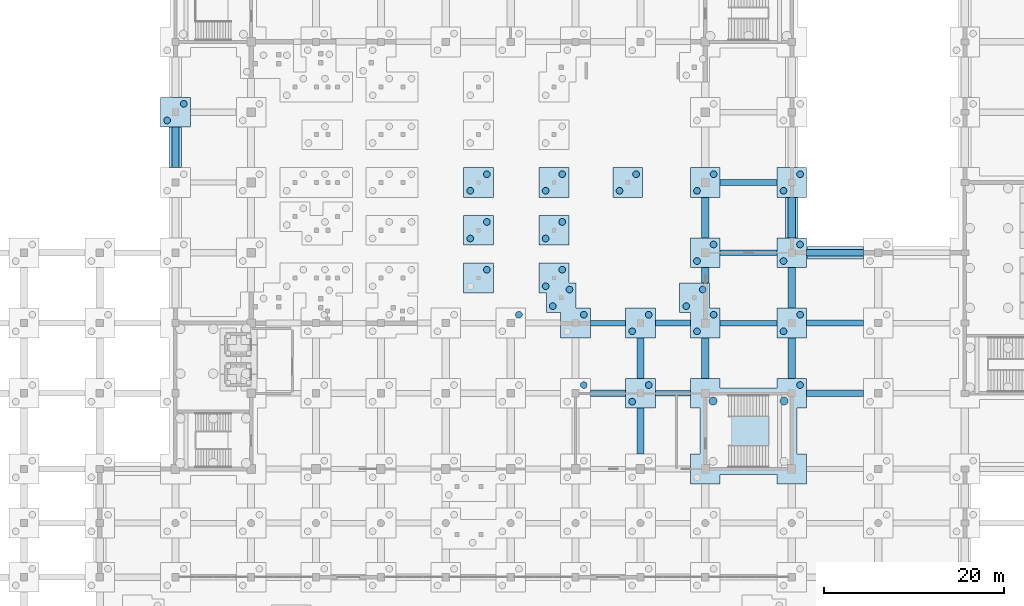
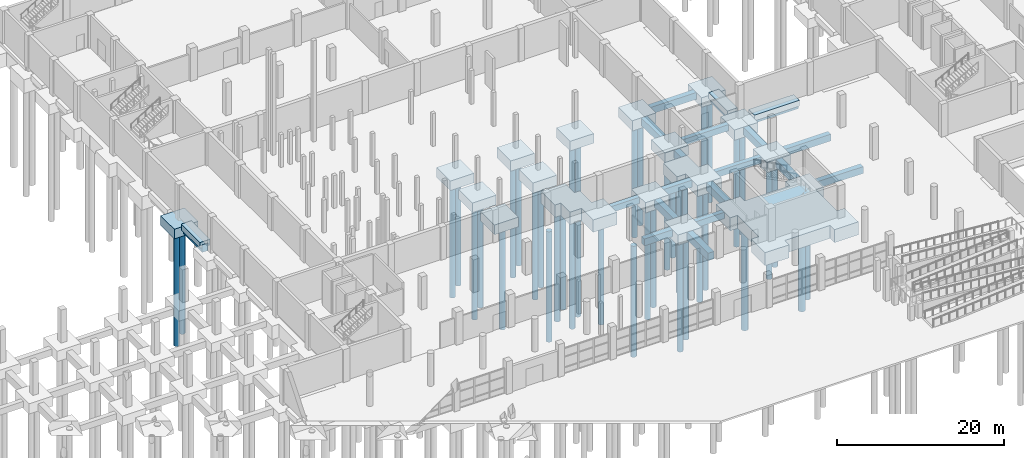
# One storey, part 7 of 42: 41 piles, 39 footings.
"""IFC4 building model written with IfcOpenShell, lengths in metres."""

from ifc_helpers import new_model, si_unit, direction, frame, origin, origin_2d, place, context, subcontext, project, spatial, polyline, rectangle, circle, outline, extrude, material, layer, layer_set, material_profile, profile_set, type_object, element, save


model = new_model("IFC4")

# Units and contexts
model_context = context("Model", 3, precision=1e-05, world=origin(), true_north=direction((0.0, 1.0)))
body_context = subcontext(model_context, "Body", "Model", "MODEL_VIEW")
ifc_project = project(units=[si_unit("LENGTHUNIT", "METRE"), si_unit("AREAUNIT", "SQUARE_METRE"), si_unit("VOLUMEUNIT", "CUBIC_METRE"), si_unit("PLANEANGLEUNIT", "RADIAN"), si_unit("MASSUNIT", "GRAM", prefix="KILO")], contexts=[model_context])

# Site, building, storey
site_placement = place(None, origin())
site = spatial("IfcSite", under=ifc_project, at=site_placement, CompositionType="ELEMENT")
building_placement = place(site_placement, origin())
building = spatial("IfcBuilding", under=site, at=building_placement, Name="Pellamere Symphony Hall", CompositionType="ELEMENT")
storey_placement = place(building_placement, frame((0.0, 0.0, -4.800048828125)))
storey = spatial("IfcBuildingStorey", under=building, at=storey_placement, Name="B1", CompositionType="ELEMENT", Elevation=-4.800048828125)

# Piles
ifc_material_1 = material(Name="Concrete 35 MPa", Category="concrete")
ifc_material_profile_1 = material_profile(ifc_material_1, circle(Radius=0.375, at=origin_2d()), Name="PILE D750")
ifc_profile_set_1 = profile_set([ifc_material_profile_1], Name="Concrete 35 MPa")
pile_type_1 = type_object("IfcPileType", Name="Bored Pile 750mm Concrete 35 MPa", PredefinedType="BORED", material=ifc_profile_set_1)
pile_1_placement = place(storey_placement, frame((119.719970703125, 39.320068359375, -2.25), z_axis=(0.0, 0.0, -1.0), x_axis=(1.0, 0.0, 0.0)))
element("IfcPile", 1, at=pile_1_placement, inside=storey, type_object=pile_type_1, Name="Bored Pile BP-750-P193", PredefinedType="BORED", context=body_context, shape_type="SweptSolid", body=[
    extrude(circle(Radius=0.375, at=origin_2d()), origin(), (0.0, 0.0, 1.0), 15.75),
])
pile_2_placement = place(storey_placement, frame((95.719970703125, 39.320068359375, -1.75), z_axis=(0.0, 0.0, -1.0), x_axis=(1.0, 0.0, 0.0)))
element("IfcPile", 2, at=pile_2_placement, inside=storey, type_object=pile_type_1, Name="Bored Pile BP-750-P244", PredefinedType="BORED", context=body_context, shape_type="SweptSolid", body=[
    extrude(circle(Radius=0.375, at=origin_2d()), origin(), (0.0, 0.0, 1.0), 16.25),
])
for number, where, z_axis, x_axis, name in (
    (3, (101.080078125, 37.47998046875, -1.849853515625), (0.0, 0.0, -1.0), (1.0, 0.0, 0.0), "Bored Pile BP-750-P245"),
    (4, (102.919921875, 39.320068359375, -1.849853515625), (0.0, 0.0, -1.0), (1.0, 0.0, 0.0), "Bored Pile BP-750-P246"),
    (5, (88.52001953125, 47.1201171875, -1.849853515625), (0.0, 0.0, -1.0), (1.0, 0.0, 0.0), "Bored Pile BP-750-P298"),
):
    element("IfcPile", number, at=place(storey_placement, frame(where, z_axis=z_axis, x_axis=x_axis)), inside=storey, type_object=pile_type_1, Name=name, PredefinedType="BORED", context=body_context, shape_type="SweptSolid", body=[
        extrude(circle(Radius=0.375, at=origin_2d()), origin(), (0.0, 0.0, 1.0), 16.14990234375),
    ])
for number, where, z_axis, x_axis, name in (
    (6, (95.719970703125, 47.1201171875, -2.14990234375), (0.0, 0.0, -1.0), (1.0, 0.0, 0.0), "Bored Pile BP-750-P300"),
    (7, (91.47998046875, 50.280029296875, -2.14990234375), (0.0, 0.0, -1.0), (1.0, 0.0, 0.0), "Bored Pile BP-750-P301"),
    (8, (93.320068359375, 52.1201171875, -2.14990234375), (0.0, 0.0, -1.0), (1.0, 0.0, 0.0), "Bored Pile BP-750-P302"),
    (9, (92.280029296875, 48.080078125, -2.14990234375), (0.0, 0.0, -1.0), (1.0, 0.0, 0.0), "Bored Pile BP-750-P303"),
    (10, (94.1201171875, 49.919921875, -2.14990234375), (0.0, 0.0, -1.0), (1.0, 0.0, 0.0), "Bored Pile BP-750-P304"),
):
    element("IfcPile", number, at=place(storey_placement, frame(where, z_axis=z_axis, x_axis=x_axis)), inside=storey, type_object=pile_type_1, Name=name, PredefinedType="BORED", context=body_context, shape_type="SweptSolid", body=[
        extrude(circle(Radius=0.375, at=origin_2d()), origin(), (0.0, 0.0, 1.0), 15.85009765625),
    ])
for number, where, z_axis, x_axis, name in (
    (11, (101.080078125, 45.280029296875, -1.849853515625), (0.0, 0.0, -1.0), (1.0, 0.0, 0.0), "Bored Pile BP-750-P305"),
    (12, (102.919921875, 47.1201171875, -1.849853515625), (0.0, 0.0, -1.0), (1.0, 0.0, 0.0), "Bored Pile BP-750-P306"),
):
    element("IfcPile", number, at=place(storey_placement, frame(where, z_axis=z_axis, x_axis=x_axis)), inside=storey, type_object=pile_type_1, Name=name, PredefinedType="BORED", context=body_context, shape_type="SweptSolid", body=[
        extrude(circle(Radius=0.375, at=origin_2d()), origin(), (0.0, 0.0, 1.0), 16.14990234375),
    ])
for number, where, z_axis, x_axis, name in (
    (13, (108.280029296875, 45.280029296875, -2.0), (0.0, 0.0, -1.0), (1.0, 0.0, 0.0), "Bored Pile BP-750-P307"),
    (14, (110.1201171875, 47.1201171875, -2.0), (0.0, 0.0, -1.0), (1.0, 0.0, 0.0), "Bored Pile BP-750-P308"),
    (15, (107.080078125, 48.080078125, -2.0), (0.0, 0.0, -1.0), (1.0, 0.0, 0.0), "Bored Pile BP-750-P309"),
    (16, (108.919921875, 49.919921875, -2.0), (0.0, 0.0, -1.0), (1.0, 0.0, 0.0), "Bored Pile BP-750-P310"),
):
    element("IfcPile", number, at=place(storey_placement, frame(where, z_axis=z_axis, x_axis=x_axis)), inside=storey, type_object=pile_type_1, Name=name, PredefinedType="BORED", context=body_context, shape_type="SweptSolid", body=[
        extrude(circle(Radius=0.375, at=origin_2d()), origin(), (0.0, 0.0, 1.0), 16.0),
    ])
for number, where, z_axis, x_axis, name in (
    (17, (117.8798828125, 45.280029296875, -1.849853515625), (0.0, 0.0, -1.0), (1.0, 0.0, 0.0), "Bored Pile BP-750-P311"),
    (18, (119.719970703125, 47.1201171875, -1.849853515625), (0.0, 0.0, -1.0), (1.0, 0.0, 0.0), "Bored Pile BP-750-P312"),
):
    element("IfcPile", number, at=place(storey_placement, frame(where, z_axis=z_axis, x_axis=x_axis)), inside=storey, type_object=pile_type_1, Name=name, PredefinedType="BORED", context=body_context, shape_type="SweptSolid", body=[
        extrude(circle(Radius=0.375, at=origin_2d()), origin(), (0.0, 0.0, 1.0), 16.14990234375),
    ])
for number, where, z_axis, x_axis, name in (
    (19, (84.95703125, 52.1201171875, -1.75), (0.0, 0.0, -1.0), (1.0, 0.0, 0.0), "Bored Pile BP-750-P318"),
    (20, (108.280029296875, 53.080078125, -1.75), (0.0, 0.0, -1.0), (1.0, 0.0, 0.0), "Bored Pile BP-750-P333"),
    (21, (110.1201171875, 54.919921875, -1.75), (0.0, 0.0, -1.0), (1.0, 0.0, 0.0), "Bored Pile BP-750-P334"),
):
    element("IfcPile", number, at=place(storey_placement, frame(where, z_axis=z_axis, x_axis=x_axis)), inside=storey, type_object=pile_type_1, Name=name, PredefinedType="BORED", context=body_context, shape_type="SweptSolid", body=[
        extrude(circle(Radius=0.375, at=origin_2d()), origin(), (0.0, 0.0, 1.0), 16.25),
    ])
for number, where, z_axis, x_axis, name in (
    (22, (117.8798828125, 53.080078125, -1.849853515625), (0.0, 0.0, -1.0), (1.0, 0.0, 0.0), "Bored Pile BP-750-P335"),
    (23, (119.719970703125, 54.919921875, -1.849853515625), (0.0, 0.0, -1.0), (1.0, 0.0, 0.0), "Bored Pile BP-750-P336"),
):
    element("IfcPile", number, at=place(storey_placement, frame(where, z_axis=z_axis, x_axis=x_axis)), inside=storey, type_object=pile_type_1, Name=name, PredefinedType="BORED", context=body_context, shape_type="SweptSolid", body=[
        extrude(circle(Radius=0.375, at=origin_2d()), origin(), (0.0, 0.0, 1.0), 16.14990234375),
    ])
for number, where, z_axis, x_axis, name in (
    (24, (83.116943359375, 55.580078125, -1.75), (0.0, 0.0, -1.0), (1.0, 0.0, 0.0), "Bored Pile BP-750-P353"),
    (25, (84.95703125, 57.419921875, -1.75), (0.0, 0.0, -1.0), (1.0, 0.0, 0.0), "Bored Pile BP-750-P354"),
):
    element("IfcPile", number, at=place(storey_placement, frame(where, z_axis=z_axis, x_axis=x_axis)), inside=storey, type_object=pile_type_1, Name=name, PredefinedType="BORED", context=body_context, shape_type="SweptSolid", body=[
        extrude(circle(Radius=0.375, at=origin_2d()), origin(), (0.0, 0.0, 1.0), 16.25),
    ])
for number, where, z_axis, x_axis, name in (
    (26, (91.47998046875, 55.580078125, -1.849853515625), (0.0, 0.0, -1.0), (1.0, 0.0, 0.0), "Bored Pile BP-750-P355"),
    (27, (93.320068359375, 57.419921875, -1.849853515625), (0.0, 0.0, -1.0), (1.0, 0.0, 0.0), "Bored Pile BP-750-P356"),
):
    element("IfcPile", number, at=place(storey_placement, frame(where, z_axis=z_axis, x_axis=x_axis)), inside=storey, type_object=pile_type_1, Name=name, PredefinedType="BORED", context=body_context, shape_type="SweptSolid", body=[
        extrude(circle(Radius=0.375, at=origin_2d()), origin(), (0.0, 0.0, 1.0), 16.14990234375),
    ])
for number, where, z_axis, x_axis, name in (
    (28, (83.116943359375, 60.8798828125, -1.75), (0.0, 0.0, -1.0), (1.0, 0.0, 0.0), "Bored Pile BP-750-P368"),
    (29, (84.95703125, 62.719970703125, -1.75), (0.0, 0.0, -1.0), (1.0, 0.0, 0.0), "Bored Pile BP-750-P369"),
):
    element("IfcPile", number, at=place(storey_placement, frame(where, z_axis=z_axis, x_axis=x_axis)), inside=storey, type_object=pile_type_1, Name=name, PredefinedType="BORED", context=body_context, shape_type="SweptSolid", body=[
        extrude(circle(Radius=0.375, at=origin_2d()), origin(), (0.0, 0.0, 1.0), 16.25),
    ])
for number, where, z_axis, x_axis, name in (
    (30, (91.47998046875, 60.8798828125, -1.849853515625), (0.0, 0.0, -1.0), (1.0, 0.0, 0.0), "Bored Pile BP-750-P370"),
    (31, (93.320068359375, 62.719970703125, -1.849853515625), (0.0, 0.0, -1.0), (1.0, 0.0, 0.0), "Bored Pile BP-750-P371"),
):
    element("IfcPile", number, at=place(storey_placement, frame(where, z_axis=z_axis, x_axis=x_axis)), inside=storey, type_object=pile_type_1, Name=name, PredefinedType="BORED", context=body_context, shape_type="SweptSolid", body=[
        extrude(circle(Radius=0.375, at=origin_2d()), origin(), (0.0, 0.0, 1.0), 16.14990234375),
    ])
for number, where, z_axis, x_axis, name in (
    (32, (99.679931640625, 60.8798828125, -1.75), (0.0, 0.0, -1.0), (1.0, 0.0, 0.0), "Bored Pile BP-750-P372"),
    (33, (101.52001953125, 62.719970703125, -1.75), (0.0, 0.0, -1.0), (1.0, 0.0, 0.0), "Bored Pile BP-750-P373"),
):
    element("IfcPile", number, at=place(storey_placement, frame(where, z_axis=z_axis, x_axis=x_axis)), inside=storey, type_object=pile_type_1, Name=name, PredefinedType="BORED", context=body_context, shape_type="SweptSolid", body=[
        extrude(circle(Radius=0.375, at=origin_2d()), origin(), (0.0, 0.0, 1.0), 16.25),
    ])
for number, where, z_axis, x_axis, name in (
    (34, (108.280029296875, 60.8798828125, -1.849853515625), (0.0, 0.0, -1.0), (1.0, 0.0, 0.0), "Bored Pile BP-750-P374"),
    (35, (110.1201171875, 62.719970703125, -1.849853515625), (0.0, 0.0, -1.0), (1.0, 0.0, 0.0), "Bored Pile BP-750-P375"),
):
    element("IfcPile", number, at=place(storey_placement, frame(where, z_axis=z_axis, x_axis=x_axis)), inside=storey, type_object=pile_type_1, Name=name, PredefinedType="BORED", context=body_context, shape_type="SweptSolid", body=[
        extrude(circle(Radius=0.375, at=origin_2d()), origin(), (0.0, 0.0, 1.0), 16.14990234375),
    ])
for number, where, z_axis, x_axis, name in (
    (36, (117.8798828125, 60.8798828125, -1.75), (0.0, 0.0, -1.0), (1.0, 0.0, 0.0), "Bored Pile BP-750-P376"),
    (37, (119.719970703125, 62.719970703125, -1.75), (0.0, 0.0, -1.0), (1.0, 0.0, 0.0), "Bored Pile BP-750-P377"),
    (38, (49.47998046875, 68.679931640625, -1.75), (0.0, 0.0, -1.0), (1.0, 0.0, 0.0), "Bored Pile BP-750-P393"),
    (39, (51.320068359375, 70.52001953125, -1.75), (0.0, 0.0, -1.0), (1.0, 0.0, 0.0), "Bored Pile BP-750-P394"),
):
    element("IfcPile", number, at=place(storey_placement, frame(where, z_axis=z_axis, x_axis=x_axis)), inside=storey, type_object=pile_type_1, Name=name, PredefinedType="BORED", context=body_context, shape_type="SweptSolid", body=[
        extrude(circle(Radius=0.375, at=origin_2d()), origin(), (0.0, 0.0, 1.0), 16.25),
    ])
ifc_material_2 = material(Name="Concrete 40 MPa", Category="concrete")
ifc_material_profile_2 = material_profile(ifc_material_2, circle(Radius=0.449951171875, at=origin_2d()), Name="PILE D900")
ifc_profile_set_2 = profile_set([ifc_material_profile_2], Name="Concrete 40 MPa")
pile_type_2 = type_object("IfcPileType", Name="Bored Pile 900mm Concrete 40 MPa", PredefinedType="BORED", material=ifc_profile_set_2)
for number, where, z_axis, x_axis, name in (
    (40, (110.050048828125, 37.550048828125, -2.25), (0.0, 0.0, -1.0), (1.0, 0.0, 0.0), "Bored Pile BP-900-P190"),
    (41, (117.949951171875, 37.550048828125, -2.25), (0.0, 0.0, -1.0), (1.0, 0.0, 0.0), "Bored Pile BP-900-P191"),
):
    element("IfcPile", number, at=place(storey_placement, frame(where, z_axis=z_axis, x_axis=x_axis)), inside=storey, type_object=pile_type_2, Name=name, PredefinedType="BORED", context=body_context, shape_type="SweptSolid", body=[
        extrude(circle(Radius=0.449951171875, at=origin_2d()), origin(), (0.0, 0.0, 1.0), 15.75),
    ])

# Footings
ifc_material_profile_3 = material_profile(ifc_material_2, rectangle(XDim=0.60009765625, YDim=0.89990234375, at=origin_2d()), Name="RC 600x900")
ifc_profile_set_3 = profile_set([ifc_material_profile_3], Name="Concrete 40 MPa")
footing_type_1 = type_object("IfcFootingType", Name="Foundation FB-01 600x900", PredefinedType="FOOTING_BEAM", material=ifc_profile_set_3)
for number, where, z_axis, x_axis, name in (
    (42, (103.652099609375, 38.39990234375, -0.89990234375), (1.0, 0.0, 0.0), (0.0, 1.0, 0.0), "Foundation Beam FB-01-132"),
    (43, (96.451904296875, 46.199951171875, -0.89990234375), (1.0, 0.0, 0.0), (0.0, 1.0, 0.0), "Foundation Beam FB-01-148"),
):
    element("IfcFooting", number, at=place(storey_placement, frame(where, z_axis=z_axis, x_axis=x_axis)), inside=storey, type_object=footing_type_1, Name=name, PredefinedType="FOOTING_BEAM", context=body_context, shape_type="SweptSolid", body=[
        extrude(rectangle(XDim=0.60009765625, YDim=0.89990234375, at=origin_2d()), origin(), (0.0, 0.0, 1.0), 3.89599609375),
    ])
for number, where, z_axis, x_axis, name in (
    (44, (110.85205078125, 46.199951171875, -0.89990234375), (1.0, 0.0, 0.0), (0.0, 1.0, 0.0), "Foundation Beam FB-01-150"),
    (45, (110.85205078125, 54.0, -0.89990234375), (1.0, 0.0, 0.0), (0.0, 1.0, 0.0), "Foundation Beam FB-01-162"),
):
    element("IfcFooting", number, at=place(storey_placement, frame(where, z_axis=z_axis, x_axis=x_axis)), inside=storey, type_object=footing_type_1, Name=name, PredefinedType="FOOTING_BEAM", context=body_context, shape_type="SweptSolid", body=[
        extrude(rectangle(XDim=0.60009765625, YDim=0.89990234375, at=origin_2d()), origin(), (0.0, 0.0, 1.0), 6.2958984375),
    ])
ifc_material_profile_4 = material_profile(ifc_material_2, rectangle(XDim=0.699951171875, YDim=1.0, at=origin_2d()), Name="RC 700x1000")
ifc_profile_set_4 = profile_set([ifc_material_profile_4], Name="Concrete 40 MPa")
footing_type_2 = type_object("IfcFootingType", Name="Foundation FB-02 700x1000", PredefinedType="FOOTING_BEAM", material=ifc_profile_set_4)
footing_1_placement = place(storey_placement, frame((96.451904296875, 38.39990234375, -0.949951171875), z_axis=(1.0, 0.0, 0.0), x_axis=(0.0, 1.0, 0.0)))
element("IfcFooting", 46, at=footing_1_placement, inside=storey, type_object=footing_type_2, Name="Foundation Beam FB-02-131", PredefinedType="FOOTING_BEAM", context=body_context, shape_type="SweptSolid", body=[
    extrude(rectangle(XDim=0.699951171875, YDim=1.0, at=origin_2d()), origin(), (0.0, 0.0, 1.0), 3.89599609375),
])
footing_2_placement = place(storey_placement, frame((120.451904296875, 38.39990234375, -0.949951171875), z_axis=(1.0, 0.0, 0.0), x_axis=(0.0, 1.0, 0.0)))
element("IfcFooting", 47, at=footing_2_placement, inside=storey, type_object=footing_type_2, Name="Foundation Beam FB-02-133", PredefinedType="FOOTING_BEAM", context=body_context, shape_type="SweptSolid", body=[
    extrude(rectangle(XDim=0.699951171875, YDim=1.0, at=origin_2d()), origin(), (0.0, 0.0, 1.0), 6.296142578125),
])
footing_3_placement = place(storey_placement, frame((103.652099609375, 46.199951171875, -0.949951171875), z_axis=(1.0, 0.0, 0.0), x_axis=(0.0, 1.0, 0.0)))
element("IfcFooting", 48, at=footing_3_placement, inside=storey, type_object=footing_type_2, Name="Foundation Beam FB-02-149", PredefinedType="FOOTING_BEAM", context=body_context, shape_type="SweptSolid", body=[
    extrude(rectangle(XDim=0.699951171875, YDim=1.0, at=origin_2d()), origin(), (0.0, 0.0, 1.0), 3.89599609375),
])
for number, where, z_axis, x_axis, name in (
    (49, (120.451904296875, 46.199951171875, -0.949951171875), (1.0, 0.0, 0.0), (0.0, 1.0, 0.0), "Foundation Beam FB-02-151"),
    (50, (120.451904296875, 54.0, -0.949951171875), (1.0, 0.0, 0.0), (0.0, 1.0, 0.0), "Foundation Beam FB-02-163"),
):
    element("IfcFooting", number, at=place(storey_placement, frame(where, z_axis=z_axis, x_axis=x_axis)), inside=storey, type_object=footing_type_2, Name=name, PredefinedType="FOOTING_BEAM", context=body_context, shape_type="SweptSolid", body=[
        extrude(rectangle(XDim=0.699951171875, YDim=1.0, at=origin_2d()), origin(), (0.0, 0.0, 1.0), 6.296142578125),
    ])
footing_4_placement = place(storey_placement, frame((110.85205078125, 61.800048828125, -0.949951171875), z_axis=(1.0, 0.0, 0.0), x_axis=(0.0, 1.0, 0.0)))
element("IfcFooting", 51, at=footing_4_placement, inside=storey, type_object=footing_type_2, Name="Foundation Beam FB-02-169", PredefinedType="FOOTING_BEAM", context=body_context, shape_type="SweptSolid", body=[
    extrude(rectangle(XDim=0.699951171875, YDim=1.0, at=origin_2d()), origin(), (0.0, 0.0, 1.0), 6.2958984375),
])
ifc_material_profile_5 = material_profile(ifc_material_2, rectangle(XDim=0.800048828125, YDim=1.10009765625, at=origin_2d()), Name="RC 800x1100")
ifc_profile_set_5 = profile_set([ifc_material_profile_5], Name="Concrete 40 MPa")
footing_type_3 = type_object("IfcFootingType", Name="Foundation FB-03 800x1100", PredefinedType="FOOTING_BEAM", material=ifc_profile_set_5)
footing_5_placement = place(storey_placement, frame((50.39990234375, 63.451904296875, -1.0), z_axis=(0.0, 1.0, 0.0), x_axis=(-1.0, 0.0, 0.0)))
element("IfcFooting", 52, at=footing_5_placement, inside=storey, type_object=footing_type_3, Name="Foundation Beam FB-03-270", PredefinedType="FOOTING_BEAM", context=body_context, shape_type="SweptSolid", body=[
    extrude(rectangle(XDim=0.800048828125, YDim=1.10009765625, at=origin_2d()), origin(), (0.0, 0.0, 1.0), 4.49609375),
])
footing_6_placement = place(storey_placement, frame((102.0, 31.652099609375, -1.0), z_axis=(0.0, 1.0, 0.0), x_axis=(-1.0, 0.0, 0.0)))
element("IfcFooting", 53, at=footing_6_placement, inside=storey, type_object=footing_type_3, Name="Foundation Beam FB-03-320", PredefinedType="FOOTING_BEAM", context=body_context, shape_type="SweptSolid", body=[
    extrude(rectangle(XDim=0.800048828125, YDim=1.10009765625, at=origin_2d()), origin(), (0.0, 0.0, 1.0), 5.095947265625),
])
for number, where, z_axis, x_axis, name in (
    (54, (102.0, 40.052001953125, -1.0), (0.0, 1.0, 0.0), (-1.0, 0.0, 0.0), "Foundation Beam FB-03-321"),
    (55, (109.199951171875, 40.052001953125, -1.0), (0.0, 1.0, 0.0), (-1.0, 0.0, 0.0), "Foundation Beam FB-03-329"),
):
    element("IfcFooting", number, at=place(storey_placement, frame(where, z_axis=z_axis, x_axis=x_axis)), inside=storey, type_object=footing_type_3, Name=name, PredefinedType="FOOTING_BEAM", context=body_context, shape_type="SweptSolid", body=[
        extrude(rectangle(XDim=0.800048828125, YDim=1.10009765625, at=origin_2d()), origin(), (0.0, 0.0, 1.0), 4.49609375),
    ])
footing_7_placement = place(storey_placement, frame((109.199951171875, 50.652099609375, -1.0), z_axis=(0.0, 1.0, 0.0), x_axis=(-1.0, 0.0, 0.0)))
element("IfcFooting", 56, at=footing_7_placement, inside=storey, type_object=footing_type_3, Name="Foundation Beam FB-03-330", PredefinedType="FOOTING_BEAM", context=body_context, shape_type="SweptSolid", body=[
    extrude(rectangle(XDim=0.800048828125, YDim=1.10009765625, at=origin_2d()), origin(), (0.0, 0.0, 1.0), 1.69580078125),
])
footing_8_placement = place(storey_placement, frame((109.199951171875, 55.652099609375, -1.0), z_axis=(0.0, 1.0, 0.0), x_axis=(-1.0, 0.0, 0.0)))
element("IfcFooting", 57, at=footing_8_placement, inside=storey, type_object=footing_type_3, Name="Foundation Beam FB-03-331", PredefinedType="FOOTING_BEAM", context=body_context, shape_type="SweptSolid", body=[
    extrude(rectangle(XDim=0.800048828125, YDim=1.10009765625, at=origin_2d()), origin(), (0.0, 0.0, 1.0), 4.495849609375),
])
footing_9_placement = place(storey_placement, frame((118.800048828125, 40.052001953125, -1.0), z_axis=(0.0, 1.0, 0.0), x_axis=(-1.0, 0.0, 0.0)))
element("IfcFooting", 58, at=footing_9_placement, inside=storey, type_object=footing_type_3, Name="Foundation Beam FB-03-339", PredefinedType="FOOTING_BEAM", context=body_context, shape_type="SweptSolid", body=[
    extrude(rectangle(XDim=0.800048828125, YDim=1.10009765625, at=origin_2d()), origin(), (0.0, 0.0, 1.0), 4.49609375),
])
for number, where, z_axis, x_axis, name in (
    (59, (118.800048828125, 47.85205078125, -1.0), (0.0, 1.0, 0.0), (-1.0, 0.0, 0.0), "Foundation Beam FB-03-340"),
    (60, (118.800048828125, 55.652099609375, -1.0), (0.0, 1.0, 0.0), (-1.0, 0.0, 0.0), "Foundation Beam FB-03-341"),
):
    element("IfcFooting", number, at=place(storey_placement, frame(where, z_axis=z_axis, x_axis=x_axis)), inside=storey, type_object=footing_type_3, Name=name, PredefinedType="FOOTING_BEAM", context=body_context, shape_type="SweptSolid", body=[
        extrude(rectangle(XDim=0.800048828125, YDim=1.10009765625, at=origin_2d()), origin(), (0.0, 0.0, 1.0), 4.495849609375),
    ])
ifc_material_profile_6 = material_profile(ifc_material_2, rectangle(XDim=1.39990234375, YDim=0.85009765625, at=origin_2d()), Name="RC 1400x850")
ifc_profile_set_6 = profile_set([ifc_material_profile_6], Name="Concrete 40 MPa")
footing_type_4 = type_object("IfcFootingType", Name="Foundation SF-02 1400x850", PredefinedType="STRIP_FOOTING", material=ifc_profile_set_6)
for number, where, z_axis, x_axis, name in (
    (61, (50.39990234375, 63.465087890625, -0.425048828125), (0.0, 1.0, 0.0), (-1.0, 0.0, 0.0), "Foundation Beam SF-02-006"),
    (62, (118.800048828125, 60.135009765625, -0.425048828125), (0.0, -1.0, 0.0), (1.0, 0.0, 0.0), "Foundation Beam SF-02-023"),
):
    element("IfcFooting", number, at=place(storey_placement, frame(where, z_axis=z_axis, x_axis=x_axis)), inside=storey, type_object=footing_type_4, Name=name, PredefinedType="STRIP_FOOTING", context=body_context, shape_type="SweptSolid", body=[
        extrude(rectangle(XDim=1.39990234375, YDim=0.85009765625, at=origin_2d()), origin(), (0.0, 0.0, 1.0), 4.469970703125),
    ])
footing_10_placement = place(storey_placement, frame((120.465087890625, 54.0, -0.425048828125), z_axis=(1.0, 0.0, 0.0), x_axis=(0.0, 1.0, 0.0)))
element("IfcFooting", 63, at=footing_10_placement, inside=storey, type_object=footing_type_4, Name="Foundation Beam SF-02-024", PredefinedType="STRIP_FOOTING", context=body_context, shape_type="SweptSolid", body=[
    extrude(rectangle(XDim=1.39990234375, YDim=0.85009765625, at=origin_2d()), origin(), (0.0, 0.0, 1.0), 6.27001953125),
])
ifc_layer_1 = layer(ifc_material_2, 1.39990234375, Name="Concrete 40 MPa")
ifc_layer_set_1 = layer_set([ifc_layer_1], Name="Concrete 40 MPa")
footing_type_5 = type_object("IfcFootingType", Name="Pile Cap PC-02 3300x3300x1400", PredefinedType="PILE_CAP", material=ifc_layer_set_1)
footing_11_placement = place(storey_placement, frame((0.0, 0.0, -1.849853515625)))
element("IfcFooting", 64, at=footing_11_placement, inside=storey, type_object=footing_type_5, Name="Pile Cap PC-02-116", PredefinedType="PILE_CAP", context=body_context, shape_type="SweptSolid", body=[
    extrude(outline(polyline([(82.386962890625, 49.550048828125), (82.386962890625, 52.85009765625), (85.68701171875, 52.85009765625), (85.68701171875, 49.550048828125), (82.386962890625, 49.550048828125)])), origin(), (0.0, 0.0, 1.0), 1.39990234375),
])
footing_12_placement = place(storey_placement, frame((0.0, 0.0, -1.849853515625)))
element("IfcFooting", 65, at=footing_12_placement, inside=storey, type_object=footing_type_5, Name="Pile Cap PC-02-124", PredefinedType="PILE_CAP", context=body_context, shape_type="SweptSolid", body=[
    extrude(outline(polyline([(110.85009765625, 52.35009765625), (107.550048828125, 52.35009765625), (107.550048828125, 55.64990234375), (110.85009765625, 55.64990234375), (110.85009765625, 52.35009765625)])), origin(), (0.0, 0.0, 1.0), 1.39990234375),
])
footing_13_placement = place(storey_placement, frame((0.0, 0.0, -1.849853515625)))
element("IfcFooting", 66, at=footing_13_placement, inside=storey, type_object=footing_type_5, Name="Pile Cap PC-02-132", PredefinedType="PILE_CAP", context=body_context, shape_type="SweptSolid", body=[
    extrude(outline(polyline([(82.386962890625, 54.85009765625), (82.386962890625, 58.14990234375), (85.68701171875, 58.14990234375), (85.68701171875, 54.85009765625), (82.386962890625, 54.85009765625)])), origin(), (0.0, 0.0, 1.0), 1.39990234375),
])
footing_14_placement = place(storey_placement, frame((0.0, 0.0, -1.849853515625)))
element("IfcFooting", 67, at=footing_14_placement, inside=storey, type_object=footing_type_5, Name="Pile Cap PC-02-138", PredefinedType="PILE_CAP", context=body_context, shape_type="SweptSolid", body=[
    extrude(outline(polyline([(82.386962890625, 60.14990234375), (82.386962890625, 63.449951171875), (85.68701171875, 63.449951171875), (85.68701171875, 60.14990234375), (82.386962890625, 60.14990234375)])), origin(), (0.0, 0.0, 1.0), 1.39990234375),
])
footing_15_placement = place(storey_placement, frame((0.0, 0.0, -1.849853515625)))
element("IfcFooting", 68, at=footing_15_placement, inside=storey, type_object=footing_type_5, Name="Pile Cap PC-02-140", PredefinedType="PILE_CAP", context=body_context, shape_type="SweptSolid", body=[
    extrude(outline(polyline([(98.949951171875, 60.14990234375), (98.949951171875, 63.449951171875), (102.25, 63.449951171875), (102.25, 60.14990234375), (98.949951171875, 60.14990234375)])), origin(), (0.0, 0.0, 1.0), 1.39990234375),
])
footing_16_placement = place(storey_placement, frame((0.0, 0.0, -1.849853515625)))
element("IfcFooting", 69, at=footing_16_placement, inside=storey, type_object=footing_type_5, Name="Pile Cap PC-02-142", PredefinedType="PILE_CAP", context=body_context, shape_type="SweptSolid", body=[
    extrude(outline(polyline([(120.449951171875, 60.14990234375), (117.14990234375, 60.14990234375), (117.14990234375, 63.449951171875), (120.449951171875, 63.449951171875), (120.449951171875, 60.14990234375)])), origin(), (0.0, 0.0, 1.0), 1.39990234375),
])
footing_17_placement = place(storey_placement, frame((0.0, 0.0, -1.849853515625)))
element("IfcFooting", 70, at=footing_17_placement, inside=storey, type_object=footing_type_5, Name="Pile Cap PC-02-150", PredefinedType="PILE_CAP", context=body_context, shape_type="SweptSolid", body=[
    extrude(outline(polyline([(48.75, 67.949951171875), (48.75, 71.25), (52.050048828125, 71.25), (52.050048828125, 67.949951171875), (48.75, 67.949951171875)])), origin(), (0.0, 0.0, 1.0), 1.39990234375),
])
ifc_layer_2 = layer(ifc_material_2, 1.5, Name="Concrete 40 MPa")
ifc_layer_set_2 = layer_set([ifc_layer_2], Name="Concrete 40 MPa")
footing_type_6 = type_object("IfcFootingType", Name="Pile Cap PC-03 3300x3300x1500", PredefinedType="PILE_CAP", material=ifc_layer_set_2)
footing_18_placement = place(storey_placement, frame((0.0, 0.0, -1.949951171875)))
element("IfcFooting", 71, at=footing_18_placement, inside=storey, type_object=footing_type_6, Name="Pile Cap PC-03-097", PredefinedType="PILE_CAP", context=body_context, shape_type="SweptSolid", body=[
    extrude(outline(polyline([(100.35009765625, 36.75), (100.35009765625, 40.050048828125), (103.64990234375, 40.050048828125), (103.64990234375, 36.75), (100.35009765625, 36.75)])), origin(), (0.0, 0.0, 1.0), 1.5),
])
footing_19_placement = place(storey_placement, frame((0.0, 0.0, -1.949951171875)))
element("IfcFooting", 72, at=footing_19_placement, inside=storey, type_object=footing_type_6, Name="Pile Cap PC-03-111", PredefinedType="PILE_CAP", context=body_context, shape_type="SweptSolid", body=[
    extrude(outline(polyline([(100.35009765625, 44.550048828125), (100.35009765625, 47.85009765625), (103.64990234375, 47.85009765625), (103.64990234375, 44.550048828125), (100.35009765625, 44.550048828125)])), origin(), (0.0, 0.0, 1.0), 1.5),
])
footing_20_placement = place(storey_placement, frame((0.0, 0.0, -1.949951171875)))
element("IfcFooting", 73, at=footing_20_placement, inside=storey, type_object=footing_type_6, Name="Pile Cap PC-03-113", PredefinedType="PILE_CAP", context=body_context, shape_type="SweptSolid", body=[
    extrude(outline(polyline([(117.14990234375, 44.550048828125), (117.14990234375, 47.85009765625), (120.449951171875, 47.85009765625), (120.449951171875, 44.550048828125), (117.14990234375, 44.550048828125)])), origin(), (0.0, 0.0, 1.0), 1.5),
])
footing_21_placement = place(storey_placement, frame((0.0, 0.0, -1.949951171875)))
element("IfcFooting", 74, at=footing_21_placement, inside=storey, type_object=footing_type_6, Name="Pile Cap PC-03-125", PredefinedType="PILE_CAP", context=body_context, shape_type="SweptSolid", body=[
    extrude(outline(polyline([(117.14990234375, 52.35009765625), (117.14990234375, 55.64990234375), (120.449951171875, 55.64990234375), (120.449951171875, 52.35009765625), (117.14990234375, 52.35009765625)])), origin(), (0.0, 0.0, 1.0), 1.5),
])
footing_22_placement = place(storey_placement, frame((0.0, 0.0, -1.949951171875)))
element("IfcFooting", 75, at=footing_22_placement, inside=storey, type_object=footing_type_6, Name="Pile Cap PC-03-133", PredefinedType="PILE_CAP", context=body_context, shape_type="SweptSolid", body=[
    extrude(outline(polyline([(94.050048828125, 54.85009765625), (90.75, 54.85009765625), (90.75, 58.14990234375), (94.050048828125, 58.14990234375), (94.050048828125, 54.85009765625)])), origin(), (0.0, 0.0, 1.0), 1.5),
])
footing_23_placement = place(storey_placement, frame((0.0, 0.0, -1.949951171875)))
element("IfcFooting", 76, at=footing_23_placement, inside=storey, type_object=footing_type_6, Name="Pile Cap PC-03-139", PredefinedType="PILE_CAP", context=body_context, shape_type="SweptSolid", body=[
    extrude(outline(polyline([(94.050048828125, 60.14990234375), (90.75, 60.14990234375), (90.75, 63.449951171875), (94.050048828125, 63.449951171875), (94.050048828125, 60.14990234375)])), origin(), (0.0, 0.0, 1.0), 1.5),
])
footing_24_placement = place(storey_placement, frame((0.0, 0.0, -1.949951171875)))
element("IfcFooting", 77, at=footing_24_placement, inside=storey, type_object=footing_type_6, Name="Pile Cap PC-03-141", PredefinedType="PILE_CAP", context=body_context, shape_type="SweptSolid", body=[
    extrude(outline(polyline([(107.550048828125, 60.14990234375), (107.550048828125, 63.449951171875), (110.85009765625, 63.449951171875), (110.85009765625, 60.14990234375), (107.550048828125, 60.14990234375)])), origin(), (0.0, 0.0, 1.0), 1.5),
])
ifc_layer_3 = layer(ifc_material_2, 1.64990234375, Name="Concrete 40 MPa")
ifc_layer_set_3 = layer_set([ifc_layer_3], Name="Concrete 40 MPa")
footing_type_7 = type_object("IfcFootingType", Name="Pile Cap PC-05 4400x3300x1650", PredefinedType="PILE_CAP", material=ifc_layer_set_3)
footing_25_placement = place(storey_placement, frame((0.0, 0.0, -2.099853515625)))
element("IfcFooting", 78, at=footing_25_placement, inside=storey, type_object=footing_type_7, Name="Pile Cap PC-05-112", PredefinedType="PILE_CAP", context=body_context, shape_type="SweptSolid", body=[
    extrude(outline(polyline([(110.85009765625, 44.550048828125), (107.550048828125, 44.550048828125), (107.550048828125, 47.35009765625), (106.35009765625, 47.35009765625), (106.35009765625, 50.64990234375), (109.64990234375, 50.64990234375), (109.64990234375, 47.85009765625), (110.85009765625, 47.85009765625), (110.85009765625, 44.550048828125)])), origin(), (0.0, 0.0, 1.0), 1.64990234375),
])
ifc_layer_4 = layer(ifc_material_2, 1.800048828125, Name="Concrete 40 MPa")
ifc_layer_set_4 = layer_set([ifc_layer_4], Name="Concrete 40 MPa")
footing_type_8 = type_object("IfcFootingType", Name="Pile Cap PC-07 4850x6850x1800", PredefinedType="PILE_CAP", material=ifc_layer_set_4)
footing_26_placement = place(storey_placement, frame((0.0, 0.0, -2.25)))
element("IfcFooting", 79, at=footing_26_placement, inside=storey, type_object=footing_type_8, Name="Pile Cap PC-07-110", PredefinedType="PILE_CAP", context=body_context, shape_type="SweptSolid", body=[
    extrude(outline(polyline([(94.050048828125, 52.85009765625), (94.050048828125, 50.64990234375), (94.85009765625, 50.64990234375), (94.85009765625, 47.85009765625), (96.449951171875, 47.85009765625), (96.449951171875, 44.550048828125), (93.14990234375, 44.550048828125), (93.14990234375, 47.35009765625), (91.550048828125, 47.35009765625), (91.550048828125, 49.550048828125), (90.75, 49.550048828125), (90.75, 52.85009765625), (94.050048828125, 52.85009765625)])), origin(), (0.0, 0.0, 1.0), 1.800048828125),
])
ifc_layer_5 = layer(ifc_material_2, 1.89990234375, Name="Concrete 40 MPa")
ifc_layer_set_5 = layer_set([ifc_layer_5], Name="Concrete 40 MPa")
footing_type_9 = type_object("IfcFootingType", Name="Pile Cap PC-09 12900x11700x1900", PredefinedType="PILE_CAP", material=ifc_layer_set_5)
footing_27_placement = place(storey_placement, frame((0.0, 0.0, -2.349853515625)))
element("IfcFooting", 80, at=footing_27_placement, inside=storey, type_object=footing_type_9, Name="Pile Cap PC-09-076", PredefinedType="PILE_CAP", context=body_context, shape_type="SweptSolid", body=[
    extrude(outline(polyline([(107.550048828125, 36.75), (107.550048828125, 40.050048828125), (110.85009765625, 40.050048828125), (110.85009765625, 39.0), (117.14990234375, 39.0), (117.14990234375, 40.050048828125), (120.449951171875, 40.050048828125), (120.449951171875, 36.75), (119.39990234375, 36.75), (119.39990234375, 31.64990234375), (120.449951171875, 31.64990234375), (120.449951171875, 28.35009765625), (117.14990234375, 28.35009765625), (117.14990234375, 29.39990234375), (110.85009765625, 29.39990234375), (110.85009765625, 28.35009765625), (107.550048828125, 28.35009765625), (107.550048828125, 31.64990234375), (108.60009765625, 31.64990234375), (108.60009765625, 36.75), (107.550048828125, 36.75)])), origin(), (0.0, 0.0, 1.0), 1.89990234375),
])

save(model, "model.ifc")
